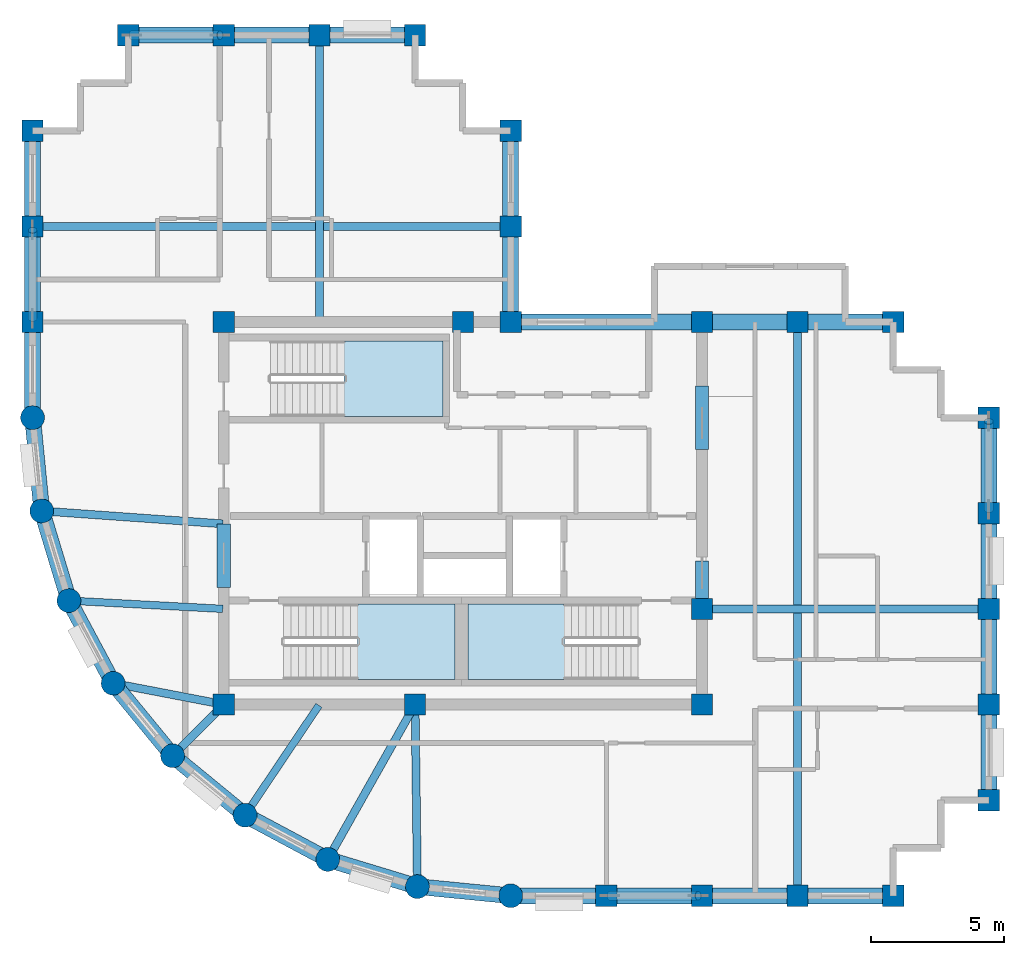
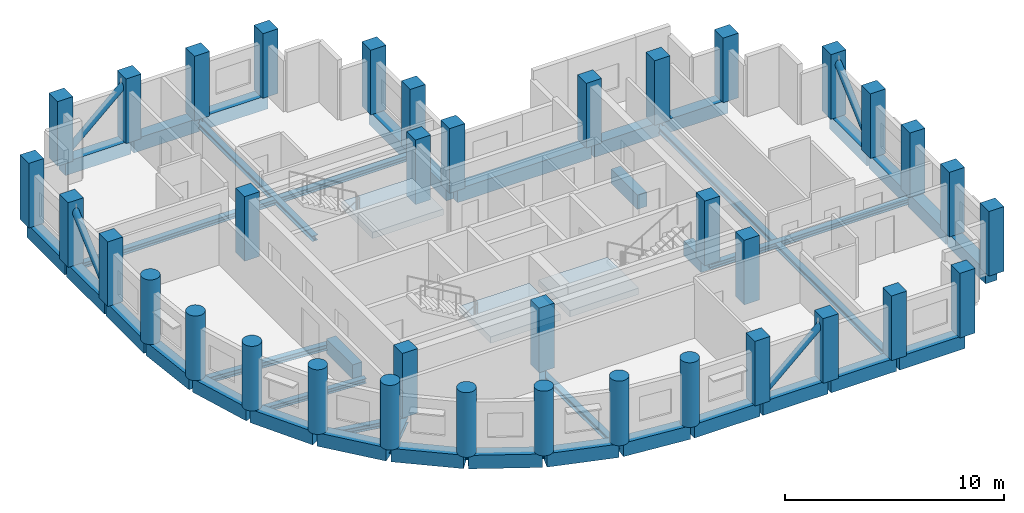
# One storey, part 1 of 7: 41 beams, 37 columns, 4 members, 3 slabs, 3 elements without a shape of their own.
"""IFC4 building model written with IfcOpenShell, lengths in metres."""

from ifc_helpers import new_model, si_unit, direction, frame, origin, origin_2d, place, context, subcontext, project, spatial, polyline, rectangle, circle, hollow_circle, i_section, outline, extrude, material, layer, layer_set, material_profile, profile_set, type_object, element, aggregate, save


model = new_model("IFC4")

# Units and contexts
model_context = context("Model", 3, precision=1e-05, world=origin(), true_north=direction((0.0, 1.0)))
body_context = subcontext(model_context, "Body", "Model", "MODEL_VIEW")
ifc_project = project(units=[si_unit("LENGTHUNIT", "METRE"), si_unit("AREAUNIT", "SQUARE_METRE"), si_unit("VOLUMEUNIT", "CUBIC_METRE"), si_unit("PLANEANGLEUNIT", "RADIAN"), si_unit("MASSUNIT", "GRAM", prefix="KILO")], contexts=[model_context])

# Site, building, storey
site_placement = place(None, origin())
site = spatial("IfcSite", under=ifc_project, at=site_placement, CompositionType="ELEMENT")
building_placement = place(site_placement, origin())
building = spatial("IfcBuilding", under=site, at=building_placement, Name="Solnavia Interchange Tower", CompositionType="ELEMENT")
storey_placement = place(building_placement, frame((0.0, 0.0, 288.199951171875)))
storey = spatial("IfcBuildingStorey", under=building, at=storey_placement, Name="L73", CompositionType="ELEMENT", Elevation=288.199951171875)

# Columns
ifc_material_1 = material(Name="Concrete C50/60", Category="concrete")
ifc_material_profile_1 = material_profile(ifc_material_1, rectangle(XDim=0.800048828125, YDim=0.800048828125, at=origin_2d()), Name="RC 800x800")
ifc_profile_set_1 = profile_set([ifc_material_profile_1], Name="Concrete C50/60")
column_type_1 = type_object("IfcColumnType", Name="Col-RC-800x800", PredefinedType="COLUMN", material=ifc_profile_set_1)
for number, where, z_axis, x_axis, name in (
    (1, (7.199951171875, 25.199951171875, 0.0), (0.0, 0.0, 1.0), (0.0, 1.0, 0.0), "COL-L73-02 Tower perim y column"),
    (2, (7.199951171875, 28.800048828125, 0.0), (0.0, 0.0, 1.0), (0.0, 1.0, 0.0), "COL-L73-03 Tower perim y column"),
    (3, (7.199951171875, 32.39990234375, 0.0), (0.0, 0.0, 1.0), (0.0, 1.0, 0.0), "COL-L73-04 Tower corner column"),
    (4, (10.800048828125, 36.0, 0.0), (0.0, 0.0, 1.0), (1.0, 0.0, 0.0), "COL-L73-08 Tower corner column"),
    (5, (14.39990234375, 10.800048828125, 0.0), (0.0, 0.0, 1.0), (1.0, 0.0, 0.0), "COL-L73-10 Tower interior column"),
    (6, (14.39990234375, 25.199951171875, 0.0), (0.0, 0.0, 1.0), (1.0, 0.0, 0.0), "COL-L73-11 Tower interior column"),
    (7, (14.39990234375, 36.0, 0.0), (0.0, 0.0, 1.0), (1.0, 0.0, 0.0), "COL-L73-12 Tower perim x column"),
    (8, (18.0, 36.0, 0.0), (0.0, 0.0, 1.0), (1.0, 0.0, 0.0), "COL-L73-14 Tower perim x column"),
    (9, (21.60009765625, 10.800048828125, 0.0), (0.0, 0.0, 1.0), (1.0, 0.0, 0.0), "COL-L73-16 Tower interior column"),
    (10, (21.60009765625, 36.0, 0.0), (0.0, 0.0, 1.0), (1.0, 0.0, 0.0), "COL-L73-17 Tower corner column"),
    (11, (23.39990234375, 25.199951171875, 0.0), (0.0, 0.0, 1.0), (1.0, 0.0, 0.0), "COL-L73-19 Tower interior column"),
    (12, (25.199951171875, 25.199951171875, 0.0), (0.0, 0.0, 1.0), (1.0, 0.0, 0.0), "COL-L73-21 Tower interior column"),
    (13, (25.199951171875, 28.800048828125, 0.0), (0.0, 0.0, 1.0), (0.0, 1.0, 0.0), "COL-L73-22 Tower perim y column"),
    (14, (25.199951171875, 32.39990234375, 0.0), (0.0, 0.0, 1.0), (0.0, 1.0, 0.0), "COL-L73-23 Tower corner column"),
    (15, (28.800048828125, 3.60009765625, 0.0), (0.0, 0.0, 1.0), (1.0, 0.0, 0.0), "COL-L73-24 Tower perim x column"),
    (16, (32.39990234375, 3.60009765625, 0.0), (0.0, 0.0, 1.0), (1.0, 0.0, 0.0), "COL-L73-25 Tower perim x column"),
    (17, (32.39990234375, 10.800048828125, 0.0), (0.0, 0.0, 1.0), (1.0, 0.0, 0.0), "COL-L73-26 Tower interior column"),
    (18, (32.39990234375, 14.39990234375, 0.0), (0.0, 0.0, 1.0), (1.0, 0.0, 0.0), "COL-L73-27 Tower interior column"),
    (19, (32.39990234375, 25.199951171875, 0.0), (0.0, 0.0, 1.0), (1.0, 0.0, 0.0), "COL-L73-28 Tower interior column"),
    (20, (36.0, 3.60009765625, 0.0), (0.0, 0.0, 1.0), (1.0, 0.0, 0.0), "COL-L73-29 Tower perim x column"),
    (21, (36.0, 25.199951171875, 0.0), (0.0, 0.0, 1.0), (1.0, 0.0, 0.0), "COL-L73-30 Tower perim x column"),
    (22, (39.60009765625, 3.60009765625, 0.0), (0.0, 0.0, 1.0), (1.0, 0.0, 0.0), "COL-L73-31 Tower corner column"),
    (23, (39.60009765625, 25.199951171875, 0.0), (0.0, 0.0, 1.0), (1.0, 0.0, 0.0), "COL-L73-32 Tower corner column"),
    (24, (43.199951171875, 7.199951171875, 0.0), (0.0, 0.0, 1.0), (1.0, 0.0, 0.0), "COL-L73-33 Tower corner column"),
    (25, (43.199951171875, 10.800048828125, 0.0), (0.0, 0.0, 1.0), (0.0, 1.0, 0.0), "COL-L73-34 Tower perim y column"),
    (26, (43.199951171875, 14.39990234375, 0.0), (0.0, 0.0, 1.0), (0.0, 1.0, 0.0), "COL-L73-35 Tower perim y column"),
    (27, (43.199951171875, 18.0, 0.0), (0.0, 0.0, 1.0), (0.0, 1.0, 0.0), "COL-L73-36 Tower perim y column"),
    (28, (43.199951171875, 21.60009765625, 0.0), (0.0, 0.0, 1.0), (0.0, 1.0, 0.0), "COL-L73-37 Tower corner column"),
):
    element("IfcColumn", number, at=place(storey_placement, frame(where, z_axis=z_axis, x_axis=x_axis)), inside=storey, type_object=column_type_1, Name=name, PredefinedType="COLUMN", context=body_context, shape_type="SweptSolid", body=[
        extrude(rectangle(XDim=0.800048828125, YDim=0.800048828125, at=origin_2d()), origin(), (0.0, 0.0, 1.0), 3.60009765625),
    ])
ifc_material_profile_2 = material_profile(ifc_material_1, circle(Radius=0.449951171875, at=origin_2d()), Name="RC D900")
ifc_profile_set_2 = profile_set([ifc_material_profile_2], Name="Concrete C50/60")
column_type_2 = type_object("IfcColumnType", Name="Col-RC-D900", PredefinedType="COLUMN", material=ifc_profile_set_2)
for number, where, z_axis, x_axis, name in (
    (29, (7.199951171875, 21.60009765625, 0.0), (0.0, 0.0, 1.0), (1.0, 0.0, 0.0), "COL-L73-01 Tower drum column"),
    (30, (7.5458984375, 18.087890625, 0.0), (0.0, 0.0, 1.0), (1.0, 0.0, 0.0), "COL-L73-05 Tower drum column"),
    (31, (8.570068359375, 14.7119140625, 0.0), (0.0, 0.0, 1.0), (1.0, 0.0, 0.0), "COL-L73-06 Tower drum column"),
    (32, (10.23388671875, 11.60009765625, 0.0), (0.0, 0.0, 1.0), (1.0, 0.0, 0.0), "COL-L73-07 Tower drum column"),
    (33, (12.471923828125, 8.8720703125, 0.0), (0.0, 0.0, 1.0), (1.0, 0.0, 0.0), "COL-L73-09 Tower drum column"),
    (34, (15.199951171875, 6.634033203125, 0.0), (0.0, 0.0, 1.0), (1.0, 0.0, 0.0), "COL-L73-13 Tower drum column"),
    (35, (18.31201171875, 4.969970703125, 0.0), (0.0, 0.0, 1.0), (1.0, 0.0, 0.0), "COL-L73-15 Tower drum column"),
    (36, (21.68798828125, 3.946044921875, 0.0), (0.0, 0.0, 1.0), (1.0, 0.0, 0.0), "COL-L73-18 Tower drum column"),
    (37, (25.199951171875, 3.60009765625, 0.0), (0.0, 0.0, 1.0), (1.0, 0.0, 0.0), "COL-L73-20 Tower drum column"),
):
    element("IfcColumn", number, at=place(storey_placement, frame(where, z_axis=z_axis, x_axis=x_axis)), inside=storey, type_object=column_type_2, Name=name, PredefinedType="COLUMN", context=body_context, shape_type="SweptSolid", body=[
        extrude(circle(Radius=0.449951171875, at=origin_2d()), origin(), (0.0, 0.0, 1.0), 3.60009765625),
    ])

# Beams
ifc_material_profile_3 = material_profile(ifc_material_1, rectangle(XDim=0.5, YDim=0.800048828125, at=origin_2d()), Name="RC 500x800")
ifc_profile_set_3 = profile_set([ifc_material_profile_3], Name="Concrete C50/60")
beam_type_1 = type_object("IfcBeamType", Name="Beam-Coupling-RC500x800", PredefinedType="LINTEL", material=ifc_profile_set_3)
beam_1_placement = place(storey_placement, frame((14.39990234375, 15.199951171875, -0.39990234375), z_axis=(0.0, 1.0, 0.0), x_axis=(-1.0, 0.0, 0.0)))
element("IfcBeam", 38, at=beam_1_placement, inside=storey, type_object=beam_type_1, Name="CPB-L73-W1 Core coupling lintel beam", PredefinedType="LINTEL", context=body_context, shape_type="SweptSolid", body=[
    extrude(rectangle(XDim=0.5, YDim=0.800048828125, at=origin_2d()), origin(), (0.0, 0.0, 1.0), 2.400146484375),
])
beam_2_placement = place(storey_placement, frame((32.39990234375, 14.60009765625, -0.39990234375), z_axis=(0.0, 1.0, 0.0), x_axis=(-1.0, 0.0, 0.0)))
element("IfcBeam", 39, at=beam_2_placement, inside=storey, type_object=beam_type_1, Name="CPB-L73-E1 Core coupling lintel beam", PredefinedType="LINTEL", context=body_context, shape_type="SweptSolid", body=[
    extrude(rectangle(XDim=0.5, YDim=0.800048828125, at=origin_2d()), origin(), (0.0, 0.0, 1.0), 1.599853515625),
])
beam_3_placement = place(storey_placement, frame((32.39990234375, 20.39990234375, -0.39990234375), z_axis=(0.0, 1.0, 0.0), x_axis=(-1.0, 0.0, 0.0)))
element("IfcBeam", 40, at=beam_3_placement, inside=storey, type_object=beam_type_1, Name="CPB-L73-E2 Core coupling lintel beam", PredefinedType="LINTEL", context=body_context, shape_type="SweptSolid", body=[
    extrude(rectangle(XDim=0.5, YDim=0.800048828125, at=origin_2d()), origin(), (0.0, 0.0, 1.0), 2.400146484375),
])
ifc_material_2 = material(Name="Steel S460", Category="steel")
ifc_material_profile_4 = material_profile(ifc_material_2, i_section(OverallWidth=0.300048828125, OverallDepth=0.300048828125, WebThickness=0.010986328125, FlangeThickness=0.01904296875, FilletRadius=0.027099609375, at=origin_2d()), Name="HEB 300")
ifc_profile_set_4 = profile_set([ifc_material_profile_4], Name="Steel S460")
beam_type_2 = type_object("IfcBeamType", Name="Beam-Girder-HEB300", PredefinedType="BEAM", material=ifc_profile_set_4)
beam_4_placement = place(storey_placement, frame((32.47998046875, 14.39990234375, -0.39990234375), z_axis=(1.0, 0.0, 0.0), x_axis=(0.0, 1.0, 0.0)))
element("IfcBeam", 41, at=beam_4_placement, inside=storey, type_object=beam_type_2, Name="GRD-L73-ES01 East wing spine girder", PredefinedType="BEAM", context=body_context, shape_type="SweptSolid", body=[
    extrude(i_section(OverallWidth=0.300048828125, OverallDepth=0.300048828125, WebThickness=0.010986328125, FlangeThickness=0.01904296875, FilletRadius=0.027099609375, at=origin_2d()), origin(), (0.0, 0.0, 1.0), 10.64013671875),
])
beam_5_placement = place(storey_placement, frame((18.0, 25.280029296875, -0.39990234375), z_axis=(0.0, 1.0, 0.0), x_axis=(-1.0, 0.0, 0.0)))
element("IfcBeam", 42, at=beam_5_placement, inside=storey, type_object=beam_type_2, Name="GRD-L73-NS03 North wing spine girder", PredefinedType="BEAM", context=body_context, shape_type="SweptSolid", body=[
    extrude(i_section(OverallWidth=0.300048828125, OverallDepth=0.300048828125, WebThickness=0.010986328125, FlangeThickness=0.01904296875, FilletRadius=0.027099609375, at=origin_2d()), origin(), (0.0, 0.0, 1.0), 10.639892578125),
])
beam_6_placement = place(storey_placement, frame((7.280029296875, 28.800048828125, -0.39990234375), z_axis=(1.0, 0.0, 0.0), x_axis=(0.0, 1.0, 0.0)))
element("IfcBeam", 43, at=beam_6_placement, inside=storey, type_object=beam_type_2, Name="GRD-L73-NW04 North wing primary floor girder", PredefinedType="BEAM", context=body_context, shape_type="SweptSolid", body=[
    extrude(i_section(OverallWidth=0.300048828125, OverallDepth=0.300048828125, WebThickness=0.010986328125, FlangeThickness=0.01904296875, FilletRadius=0.027099609375, at=origin_2d()), origin(), (0.0, 0.0, 1.0), 17.840087890625),
])
beam_7_placement = place(storey_placement, frame((10.3125, 11.5849609375, -0.39990234375), z_axis=(0.982057527796, -0.188581579428, 0.0), x_axis=(0.188581579428, 0.982057527796, 0.0)))
element("IfcBeam", 44, at=beam_7_placement, inside=storey, type_object=beam_type_2, Name="GRD-L73-DR07 Drum radial floor girder", PredefinedType="BEAM", context=body_context, shape_type="SweptSolid", body=[
    extrude(i_section(OverallWidth=0.300048828125, OverallDepth=0.300048828125, WebThickness=0.010986328125, FlangeThickness=0.01904296875, FilletRadius=0.027099609375, at=origin_2d()), origin(), (0.0, 0.0, 1.0), 4.1220703125),
])
beam_8_placement = place(storey_placement, frame((18.351318359375, 5.039794921875, -0.39990234375), z_axis=(0.491243158486, 0.871022479182, 0.0), x_axis=(-0.871022479182, 0.491243158486, 0.0)))
element("IfcBeam", 45, at=beam_8_placement, inside=storey, type_object=beam_type_2, Name="GRD-L73-DR10 Drum radial floor girder", PredefinedType="BEAM", context=body_context, shape_type="SweptSolid", body=[
    extrude(i_section(OverallWidth=0.300048828125, OverallDepth=0.300048828125, WebThickness=0.010986328125, FlangeThickness=0.01904296875, FilletRadius=0.027099609375, at=origin_2d()), origin(), (0.0, 0.0, 1.0), 6.5732421875),
])
ifc_material_3 = material(Name="Steel S355", Category="steel")
ifc_material_profile_5 = material_profile(ifc_material_3, i_section(OverallWidth=0.280029296875, OverallDepth=0.27001953125, WebThickness=0.008056640625, FlangeThickness=0.012939453125, FilletRadius=0.02392578125, at=origin_2d()), Name="HEA 280")
ifc_profile_set_5 = profile_set([ifc_material_profile_5], Name="Steel S355")
beam_type_3 = type_object("IfcBeamType", Name="Beam-Primary-HEA280", PredefinedType="BEAM", material=ifc_profile_set_5)
beam_9_placement = place(storey_placement, frame((8.64990234375, 14.707763671875, -0.385009765625), z_axis=(0.998570371303, -0.053452909696, 0.0), x_axis=(0.053452909696, 0.998570371303, 0.0)))
element("IfcBeam", 46, at=beam_9_placement, inside=storey, type_object=beam_type_3, Name="GRD-L73-DR06 Drum radial floor girder", PredefinedType="BEAM", context=body_context, shape_type="SweptSolid", body=[
    extrude(i_section(OverallWidth=0.280029296875, OverallDepth=0.27001953125, WebThickness=0.008056640625, FlangeThickness=0.012939453125, FilletRadius=0.02392578125, at=origin_2d()), origin(), (0.0, 0.0, 1.0), 5.71826171875),
])
beam_10_placement = place(storey_placement, frame((15.24462890625, 6.700439453125, -0.385009765625), z_axis=(0.557835474219, 0.829951555033, 0.0), x_axis=(-0.829951555033, 0.557835474219, 0.0)))
element("IfcBeam", 47, at=beam_10_placement, inside=storey, type_object=beam_type_3, Name="GRD-L73-DR09 Drum radial floor girder", PredefinedType="BEAM", context=body_context, shape_type="SweptSolid", body=[
    extrude(i_section(OverallWidth=0.280029296875, OverallDepth=0.27001953125, WebThickness=0.008056640625, FlangeThickness=0.012939453125, FilletRadius=0.02392578125, at=origin_2d()), origin(), (0.0, 0.0, 1.0), 4.899658203125),
])
ifc_material_profile_6 = material_profile(ifc_material_3, i_section(OverallWidth=0.300048828125, OverallDepth=0.31005859375, WebThickness=0.009033203125, FlangeThickness=0.015380859375, FilletRadius=0.027099609375, at=origin_2d()), Name="HEA 320")
ifc_profile_set_6 = profile_set([ifc_material_profile_6], Name="Steel S355")
beam_type_4 = type_object("IfcBeamType", Name="Beam-Primary-HEA320", PredefinedType="BEAM", material=ifc_profile_set_6)
beam_11_placement = place(storey_placement, frame((36.0, 3.679931640625, -0.405029296875), z_axis=(0.0, 1.0, 0.0), x_axis=(-1.0, 0.0, 0.0)))
element("IfcBeam", 48, at=beam_11_placement, inside=storey, type_object=beam_type_4, Name="GRD-L73-EW02 East wing primary floor girder", PredefinedType="BEAM", context=body_context, shape_type="SweptSolid", body=[
    extrude(i_section(OverallWidth=0.300048828125, OverallDepth=0.31005859375, WebThickness=0.009033203125, FlangeThickness=0.015380859375, FilletRadius=0.027099609375, at=origin_2d()), origin(), (0.0, 0.0, 1.0), 21.440185546875),
])
beam_12_placement = place(storey_placement, frame((7.625732421875, 18.082275390625, -0.405029296875), z_axis=(0.99747482749, -0.071020902015, 0.0), x_axis=(0.071020902015, 0.99747482749, 0.0)))
element("IfcBeam", 49, at=beam_12_placement, inside=storey, type_object=beam_type_4, Name="GRD-L73-DR05 Drum radial floor girder", PredefinedType="BEAM", context=body_context, shape_type="SweptSolid", body=[
    extrude(i_section(OverallWidth=0.300048828125, OverallDepth=0.31005859375, WebThickness=0.009033203125, FlangeThickness=0.015380859375, FilletRadius=0.027099609375, at=origin_2d()), origin(), (0.0, 0.0, 1.0), 6.75146484375),
])
beam_13_placement = place(storey_placement, frame((12.528564453125, 8.9287109375, -0.405029296875), z_axis=(0.707106781187, 0.707106781187, 0.0), x_axis=(-0.707106781187, 0.707106781187, 0.0)))
element("IfcBeam", 50, at=beam_13_placement, inside=storey, type_object=beam_type_4, Name="GRD-L73-DR08 Drum radial floor girder", PredefinedType="BEAM", context=body_context, shape_type="SweptSolid", body=[
    extrude(i_section(OverallWidth=0.300048828125, OverallDepth=0.31005859375, WebThickness=0.009033203125, FlangeThickness=0.015380859375, FilletRadius=0.027099609375, at=origin_2d()), origin(), (0.0, 0.0, 1.0), 2.6064453125),
])
beam_14_placement = place(storey_placement, frame((21.68701171875, 4.02587890625, -0.405029296875), z_axis=(-0.01283293513, 0.999917654498, 0.0), x_axis=(-0.999917654498, -0.01283293513, 0.0)))
element("IfcBeam", 51, at=beam_14_placement, inside=storey, type_object=beam_type_4, Name="GRD-L73-DR11 Drum radial floor girder", PredefinedType="BEAM", context=body_context, shape_type="SweptSolid", body=[
    extrude(i_section(OverallWidth=0.300048828125, OverallDepth=0.31005859375, WebThickness=0.009033203125, FlangeThickness=0.015380859375, FilletRadius=0.027099609375, at=origin_2d()), origin(), (0.0, 0.0, 1.0), 6.734619140625),
])
ifc_material_profile_7 = material_profile(ifc_material_1, rectangle(XDim=0.60009765625, YDim=0.75, at=origin_2d()), Name="RC 600x750")
ifc_profile_set_7 = profile_set([ifc_material_profile_7], Name="Concrete C50/60")
beam_type_5 = type_object("IfcBeamType", Name="Beam-Spandrel-RC600x750", PredefinedType="SPANDREL", material=ifc_profile_set_7)
beam_15_placement = place(storey_placement, frame((7.207763671875, 21.5205078125, -0.375), z_axis=(0.098040038117, -0.995182471171, 0.0), x_axis=(0.995182471171, 0.098040038117, 0.0)))
element("IfcBeam", 52, at=beam_15_placement, inside=storey, type_object=beam_type_5, Name="SPB-L73-01 Framed-tube perimeter spandrel beam", PredefinedType="SPANDREL", context=body_context, shape_type="SweptSolid", body=[
    extrude(rectangle(XDim=0.60009765625, YDim=0.75, at=origin_2d()), origin(), (0.0, 0.0, 1.0), 3.369140625),
])
beam_16_placement = place(storey_placement, frame((7.569091796875, 18.011474609375, -0.375), z_axis=(0.290319223646, -0.956929855518, 0.0), x_axis=(0.956929855518, 0.290319223646, 0.0)))
element("IfcBeam", 53, at=beam_16_placement, inside=storey, type_object=beam_type_5, Name="SPB-L73-02 Framed-tube perimeter spandrel beam", PredefinedType="SPANDREL", context=body_context, shape_type="SweptSolid", body=[
    extrude(rectangle(XDim=0.60009765625, YDim=0.75, at=origin_2d()), origin(), (0.0, 0.0, 1.0), 3.367919921875),
])
beam_17_placement = place(storey_placement, frame((8.607666015625, 14.6416015625, -0.375), z_axis=(0.471509422952, -0.881861023102, 0.0), x_axis=(0.881861023102, 0.471509422952, 0.0)))
element("IfcBeam", 54, at=beam_17_placement, inside=storey, type_object=beam_type_5, Name="SPB-L73-03 Framed-tube perimeter spandrel beam", PredefinedType="SPANDREL", context=body_context, shape_type="SweptSolid", body=[
    extrude(rectangle(XDim=0.60009765625, YDim=0.75, at=origin_2d()), origin(), (0.0, 0.0, 1.0), 3.369140625),
])
for number, where, z_axis, x_axis, name in (
    (55, (10.28466796875, 11.5380859375, -0.375), (0.634298841675, -0.773087950656, 0.0), (0.773087950656, 0.634298841675, 0.0), "SPB-L73-04 Framed-tube perimeter spandrel beam"),
    (56, (12.53369140625, 8.8212890625, -0.375), (0.773152644452, -0.634219984214, 0.0), (0.634219984214, 0.773152644452, 0.0), "SPB-L73-05 Framed-tube perimeter spandrel beam"),
):
    element("IfcBeam", number, at=place(storey_placement, frame(where, z_axis=z_axis, x_axis=x_axis)), inside=storey, type_object=beam_type_5, Name=name, PredefinedType="SPANDREL", context=body_context, shape_type="SweptSolid", body=[
        extrude(rectangle(XDim=0.60009765625, YDim=0.75, at=origin_2d()), origin(), (0.0, 0.0, 1.0), 3.36865234375),
    ])
beam_18_placement = place(storey_placement, frame((15.2705078125, 6.59619140625, -0.375), z_axis=(0.881875044348, -0.47148319817, 0.0), x_axis=(0.47148319817, 0.881875044348, 0.0)))
element("IfcBeam", 57, at=beam_18_placement, inside=storey, type_object=beam_type_5, Name="SPB-L73-06 Framed-tube perimeter spandrel beam", PredefinedType="SPANDREL", context=body_context, shape_type="SweptSolid", body=[
    extrude(rectangle(XDim=0.60009765625, YDim=0.75, at=origin_2d()), origin(), (0.0, 0.0, 1.0), 3.368896484375),
])
beam_19_placement = place(storey_placement, frame((18.388671875, 4.94677734375, -0.375), z_axis=(0.956943884494, -0.290272978297, 0.0), x_axis=(0.290272978297, 0.956943884494, 0.0)))
element("IfcBeam", 58, at=beam_19_placement, inside=storey, type_object=beam_type_5, Name="SPB-L73-07 Framed-tube perimeter spandrel beam", PredefinedType="SPANDREL", context=body_context, shape_type="SweptSolid", body=[
    extrude(rectangle(XDim=0.60009765625, YDim=0.75, at=origin_2d()), origin(), (0.0, 0.0, 1.0), 3.36767578125),
])
beam_20_placement = place(storey_placement, frame((21.767578125, 3.938232421875, -0.375), z_axis=(0.995181774609, -0.098047108501, 0.0), x_axis=(0.098047108501, 0.995181774609, 0.0)))
element("IfcBeam", 59, at=beam_20_placement, inside=storey, type_object=beam_type_5, Name="SPB-L73-08 Framed-tube perimeter spandrel beam", PredefinedType="SPANDREL", context=body_context, shape_type="SweptSolid", body=[
    extrude(rectangle(XDim=0.60009765625, YDim=0.75, at=origin_2d()), origin(), (0.0, 0.0, 1.0), 3.368896484375),
])
beam_21_placement = place(storey_placement, frame((25.280029296875, 3.60009765625, -0.375), z_axis=(1.0, 0.0, 0.0), x_axis=(0.0, 1.0, 0.0)))
element("IfcBeam", 60, at=beam_21_placement, inside=storey, type_object=beam_type_5, Name="SPB-L73-09 Framed-tube perimeter spandrel beam", PredefinedType="SPANDREL", context=body_context, shape_type="SweptSolid", body=[
    extrude(rectangle(XDim=0.60009765625, YDim=0.75, at=origin_2d()), origin(), (0.0, 0.0, 1.0), 3.43994140625),
])
beam_22_placement = place(storey_placement, frame((28.8798828125, 3.60009765625, -0.375), z_axis=(1.0, 0.0, 0.0), x_axis=(0.0, 1.0, 0.0)))
element("IfcBeam", 61, at=beam_22_placement, inside=storey, type_object=beam_type_5, Name="SPB-L73-10 Framed-tube perimeter spandrel beam", PredefinedType="SPANDREL", context=body_context, shape_type="SweptSolid", body=[
    extrude(rectangle(XDim=0.60009765625, YDim=0.75, at=origin_2d()), origin(), (0.0, 0.0, 1.0), 3.440185546875),
])
for number, where, z_axis, x_axis, name in (
    (62, (32.47998046875, 3.60009765625, -0.375), (1.0, 0.0, 0.0), (0.0, 1.0, 0.0), "SPB-L73-11 Framed-tube perimeter spandrel beam"),
    (63, (36.080078125, 3.60009765625, -0.375), (1.0, 0.0, 0.0), (0.0, 1.0, 0.0), "SPB-L73-12 Framed-tube perimeter spandrel beam"),
    (64, (43.199951171875, 7.280029296875, -0.375), (0.0, 1.0, 0.0), (-1.0, 0.0, 0.0), "SPB-L73-13 Framed-tube perimeter spandrel beam"),
):
    element("IfcBeam", number, at=place(storey_placement, frame(where, z_axis=z_axis, x_axis=x_axis)), inside=storey, type_object=beam_type_5, Name=name, PredefinedType="SPANDREL", context=body_context, shape_type="SweptSolid", body=[
        extrude(rectangle(XDim=0.60009765625, YDim=0.75, at=origin_2d()), origin(), (0.0, 0.0, 1.0), 3.43994140625),
    ])
beam_23_placement = place(storey_placement, frame((43.199951171875, 10.8798828125, -0.375), z_axis=(0.0, 1.0, 0.0), x_axis=(-1.0, 0.0, 0.0)))
element("IfcBeam", 65, at=beam_23_placement, inside=storey, type_object=beam_type_5, Name="SPB-L73-14 Framed-tube perimeter spandrel beam", PredefinedType="SPANDREL", context=body_context, shape_type="SweptSolid", body=[
    extrude(rectangle(XDim=0.60009765625, YDim=0.75, at=origin_2d()), origin(), (0.0, 0.0, 1.0), 3.440185546875),
])
for number, where, z_axis, x_axis, name in (
    (66, (43.199951171875, 14.47998046875, -0.375), (0.0, 1.0, 0.0), (-1.0, 0.0, 0.0), "SPB-L73-15 Framed-tube perimeter spandrel beam"),
    (67, (43.199951171875, 18.080078125, -0.375), (0.0, 1.0, 0.0), (-1.0, 0.0, 0.0), "SPB-L73-16 Framed-tube perimeter spandrel beam"),
    (68, (39.52001953125, 25.199951171875, -0.375), (-1.0, 0.0, 0.0), (0.0, -1.0, 0.0), "SPB-L73-17 Framed-tube perimeter spandrel beam"),
    (69, (35.919921875, 25.199951171875, -0.375), (-1.0, 0.0, 0.0), (0.0, -1.0, 0.0), "SPB-L73-18 Framed-tube perimeter spandrel beam"),
):
    element("IfcBeam", number, at=place(storey_placement, frame(where, z_axis=z_axis, x_axis=x_axis)), inside=storey, type_object=beam_type_5, Name=name, PredefinedType="SPANDREL", context=body_context, shape_type="SweptSolid", body=[
        extrude(rectangle(XDim=0.60009765625, YDim=0.75, at=origin_2d()), origin(), (0.0, 0.0, 1.0), 3.43994140625),
    ])
beam_24_placement = place(storey_placement, frame((32.320068359375, 25.199951171875, -0.375), z_axis=(-1.0, 0.0, 0.0), x_axis=(0.0, -1.0, 0.0)))
element("IfcBeam", 70, at=beam_24_placement, inside=storey, type_object=beam_type_5, Name="SPB-L73-19 Framed-tube perimeter spandrel beam", PredefinedType="SPANDREL", context=body_context, shape_type="SweptSolid", body=[
    extrude(rectangle(XDim=0.60009765625, YDim=0.75, at=origin_2d()), origin(), (0.0, 0.0, 1.0), 7.0400390625),
])
beam_25_placement = place(storey_placement, frame((25.199951171875, 25.280029296875, -0.375), z_axis=(0.0, 1.0, 0.0), x_axis=(-1.0, 0.0, 0.0)))
element("IfcBeam", 71, at=beam_25_placement, inside=storey, type_object=beam_type_5, Name="SPB-L73-20 Framed-tube perimeter spandrel beam", PredefinedType="SPANDREL", context=body_context, shape_type="SweptSolid", body=[
    extrude(rectangle(XDim=0.60009765625, YDim=0.75, at=origin_2d()), origin(), (0.0, 0.0, 1.0), 3.43994140625),
])
beam_26_placement = place(storey_placement, frame((25.199951171875, 28.8798828125, -0.375), z_axis=(0.0, 1.0, 0.0), x_axis=(-1.0, 0.0, 0.0)))
element("IfcBeam", 72, at=beam_26_placement, inside=storey, type_object=beam_type_5, Name="SPB-L73-21 Framed-tube perimeter spandrel beam", PredefinedType="SPANDREL", context=body_context, shape_type="SweptSolid", body=[
    extrude(rectangle(XDim=0.60009765625, YDim=0.75, at=origin_2d()), origin(), (0.0, 0.0, 1.0), 3.440185546875),
])
for number, where, z_axis, x_axis, name in (
    (73, (21.52001953125, 36.0, -0.375), (-1.0, 0.0, 0.0), (0.0, -1.0, 0.0), "SPB-L73-22 Framed-tube perimeter spandrel beam"),
    (74, (17.919921875, 36.0, -0.375), (-1.0, 0.0, 0.0), (0.0, -1.0, 0.0), "SPB-L73-23 Framed-tube perimeter spandrel beam"),
):
    element("IfcBeam", number, at=place(storey_placement, frame(where, z_axis=z_axis, x_axis=x_axis)), inside=storey, type_object=beam_type_5, Name=name, PredefinedType="SPANDREL", context=body_context, shape_type="SweptSolid", body=[
        extrude(rectangle(XDim=0.60009765625, YDim=0.75, at=origin_2d()), origin(), (0.0, 0.0, 1.0), 3.43994140625),
    ])
for number, where, z_axis, x_axis, name in (
    (75, (14.320068359375, 36.0, -0.375), (-1.0, 0.0, 0.0), (0.0, -1.0, 0.0), "SPB-L73-24 Framed-tube perimeter spandrel beam"),
    (76, (7.199951171875, 32.320068359375, -0.375), (0.0, -1.0, 0.0), (1.0, 0.0, 0.0), "SPB-L73-25 Framed-tube perimeter spandrel beam"),
):
    element("IfcBeam", number, at=place(storey_placement, frame(where, z_axis=z_axis, x_axis=x_axis)), inside=storey, type_object=beam_type_5, Name=name, PredefinedType="SPANDREL", context=body_context, shape_type="SweptSolid", body=[
        extrude(rectangle(XDim=0.60009765625, YDim=0.75, at=origin_2d()), origin(), (0.0, 0.0, 1.0), 3.440185546875),
    ])
beam_27_placement = place(storey_placement, frame((7.199951171875, 28.719970703125, -0.375), z_axis=(0.0, -1.0, 0.0), x_axis=(1.0, 0.0, 0.0)))
element("IfcBeam", 77, at=beam_27_placement, inside=storey, type_object=beam_type_5, Name="SPB-L73-26 Framed-tube perimeter spandrel beam", PredefinedType="SPANDREL", context=body_context, shape_type="SweptSolid", body=[
    extrude(rectangle(XDim=0.60009765625, YDim=0.75, at=origin_2d()), origin(), (0.0, 0.0, 1.0), 3.43994140625),
])
beam_28_placement = place(storey_placement, frame((7.199951171875, 25.1201171875, -0.375), z_axis=(0.0, -1.0, 0.0), x_axis=(1.0, 0.0, 0.0)))
element("IfcBeam", 78, at=beam_28_placement, inside=storey, type_object=beam_type_5, Name="SPB-L73-27 Framed-tube perimeter spandrel beam", PredefinedType="SPANDREL", context=body_context, shape_type="SweptSolid", body=[
    extrude(rectangle(XDim=0.60009765625, YDim=0.75, at=origin_2d()), origin(), (0.0, 0.0, 1.0), 3.440185546875),
])

# Members
ifc_material_profile_8 = material_profile(ifc_material_2, hollow_circle(Radius=0.177734375, WallThickness=0.01611328125, at=origin_2d()), Name="CHS 355.6x16")
ifc_profile_set_8 = profile_set([ifc_material_profile_8], Name="Steel S460")
member_type = type_object("IfcMemberType", Name="Brace-Perim-CHS355", PredefinedType="BRACE", material=ifc_profile_set_8)
member_1_placement = place(storey_placement, frame((28.93994140625, 3.60009765625, 0.179931640625), z_axis=(0.743052292095, 0.0, 0.669233360804), x_axis=(0.0, 1.0, 0.0)))
element("IfcMember", 79, at=member_1_placement, inside=storey, type_object=member_type, Name="BRC-L73-01 Perimeter tube diagonal brace", PredefinedType="BRACE", context=body_context, shape_type="SweptSolid", body=[
    extrude(hollow_circle(Radius=0.177734375, WallThickness=0.01611328125, at=origin_2d()), origin(), (0.0, 0.0, 1.0), 4.46826171875),
])
member_2_placement = place(storey_placement, frame((7.199951171875, 25.340087890625, 0.179931640625), z_axis=(0.0, 0.743027818711, 0.669260532694), x_axis=(-1.0, 0.0, 0.0)))
element("IfcMember", 80, at=member_2_placement, inside=storey, type_object=member_type, Name="BRC-L73-02 Perimeter tube diagonal brace", PredefinedType="BRACE", context=body_context, shape_type="SweptSolid", body=[
    extrude(hollow_circle(Radius=0.177734375, WallThickness=0.01611328125, at=origin_2d()), origin(), (0.0, 0.0, 1.0), 4.468017578125),
])
for number, where, z_axis, x_axis, name in (
    (81, (43.199951171875, 18.139892578125, 0.179931640625), (0.0, 0.743052292095, 0.669233360804), (-1.0, 0.0, 0.0), "BRC-L73-03 Perimeter tube diagonal brace"),
    (82, (10.93994140625, 36.0, 0.179931640625), (0.743052292095, 0.0, 0.669233360804), (0.0, 1.0, 0.0), "BRC-L73-04 Perimeter tube diagonal brace"),
):
    element("IfcMember", number, at=place(storey_placement, frame(where, z_axis=z_axis, x_axis=x_axis)), inside=storey, type_object=member_type, Name=name, PredefinedType="BRACE", context=body_context, shape_type="SweptSolid", body=[
        extrude(hollow_circle(Radius=0.177734375, WallThickness=0.01611328125, at=origin_2d()), origin(), (0.0, 0.0, 1.0), 4.46826171875),
    ])

# Stair, slab
ifc_material_4 = material(Name="Concrete C40/50", Category="concrete")
stair_type = type_object("IfcStairType", Name="Stair-Dogleg-RC", PredefinedType="HALF_TURN_STAIR", material=ifc_material_4)
stair_1_placement = place(storey_placement, origin())
stair_1 = element("IfcStair", 83, at=stair_1_placement, inside=storey, type_object=stair_type, Name="L73 Core exit stair 1", PredefinedType="HALF_TURN_STAIR")
ifc_layer = layer(ifc_material_4, 0.35009765625)
ifc_layer_set = layer_set([ifc_layer], Name="Concrete C40/50")
slab_type = type_object("IfcSlabType", Name="Slab-StairLanding-350", PredefinedType="LANDING", material=ifc_layer_set)
slab_1_placement = place(storey_placement, frame((0.0, 0.0, 1.449951171875)))
slab_1 = element("IfcSlab", 84, at=slab_1_placement, type_object=slab_type, Name="ST-1 landing 1", PredefinedType="LANDING", context=body_context, shape_type="SweptSolid", body=[
    extrude(outline(polyline([(19.427978515625, 11.75), (23.10009765625, 11.75), (23.10009765625, 14.590087890625), (19.427978515625, 14.590087890625), (19.427978515625, 11.75)])), origin(), (0.0, 0.0, 1.0), 0.35009765625),
])
aggregate(stair_1, [slab_1])

stair_2_placement = place(storey_placement, origin())
stair_2 = element("IfcStair", 85, at=stair_2_placement, inside=storey, type_object=stair_type, Name="L73 Core exit stair 2", PredefinedType="HALF_TURN_STAIR")
slab_2_placement = place(storey_placement, frame((0.0, 0.0, 1.449951171875)))
slab_2 = element("IfcSlab", 86, at=slab_2_placement, type_object=slab_type, Name="ST-2 landing 1", PredefinedType="LANDING", context=body_context, shape_type="SweptSolid", body=[
    extrude(outline(polyline([(23.60009765625, 11.75), (27.221923828125, 11.75), (27.221923828125, 14.590087890625), (23.60009765625, 14.590087890625), (23.60009765625, 11.75)])), origin(), (0.0, 0.0, 1.0), 0.35009765625),
])
aggregate(stair_2, [slab_2])

stair_3_placement = place(storey_placement, origin())
stair_3 = element("IfcStair", 87, at=stair_3_placement, inside=storey, type_object=stair_type, Name="L73 Core exit stair 3", PredefinedType="HALF_TURN_STAIR")
slab_3_placement = place(storey_placement, frame((0.0, 0.0, 1.449951171875)))
slab_3 = element("IfcSlab", 88, at=slab_3_placement, type_object=slab_type, Name="ST-3 landing 1", PredefinedType="LANDING", context=body_context, shape_type="SweptSolid", body=[
    extrude(outline(polyline([(18.927978515625, 21.64990234375), (22.64990234375, 21.64990234375), (22.64990234375, 24.489990234375), (18.927978515625, 24.489990234375), (18.927978515625, 21.64990234375)])), origin(), (0.0, 0.0, 1.0), 0.35009765625),
])
aggregate(stair_3, [slab_3])

save(model, "model.ifc")
